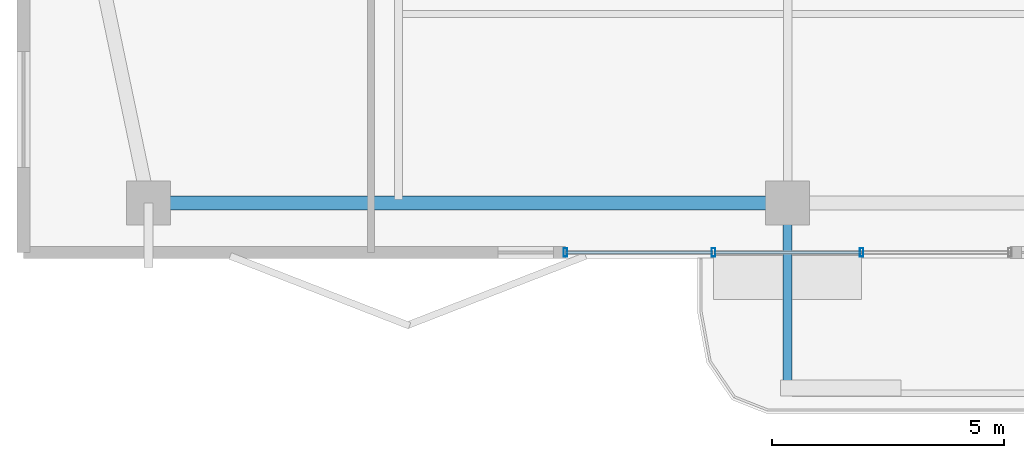
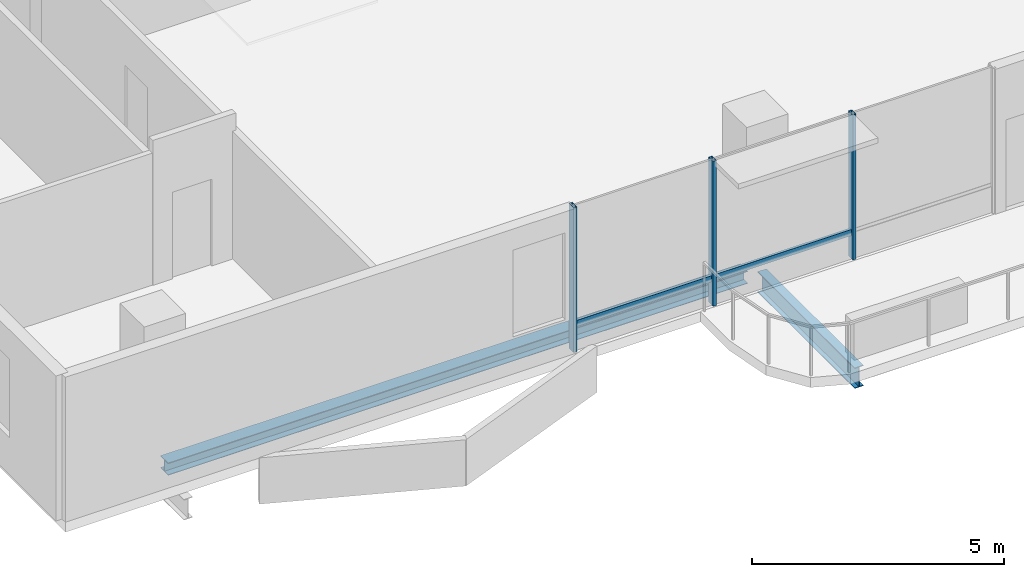
# One storey, part 2 of 18: 5 members, 2 beams, 1 element without a shape of its own.
"""IFC4 building model written with IfcOpenShell, lengths in metres."""

from ifc_helpers import new_model, si_unit, direction, frame, origin, origin_2d, place, context, subcontext, project, spatial, hollow_rectangle, i_section, extrude, material, layer, layer_set, material_profile, profile_set, type_object, element, aggregate, save


model = new_model("IFC4")

# Units and contexts
model_context = context("Model", 3, precision=1e-05, world=origin(), true_north=direction((0.0, 1.0)))
body_context = subcontext(model_context, "Body", "Model", "MODEL_VIEW")
ifc_project = project(units=[si_unit("LENGTHUNIT", "METRE"), si_unit("AREAUNIT", "SQUARE_METRE"), si_unit("VOLUMEUNIT", "CUBIC_METRE"), si_unit("PLANEANGLEUNIT", "RADIAN"), si_unit("MASSUNIT", "GRAM", prefix="KILO")], contexts=[model_context])

# Site, building, storey
site_placement = place(None, origin())
site = spatial("IfcSite", under=ifc_project, at=site_placement, CompositionType="ELEMENT")
building_placement = place(site_placement, origin())
building = spatial("IfcBuilding", under=site, at=building_placement, Name="Belovzor Exchange Tower", CompositionType="ELEMENT")
storey_placement = place(building_placement, frame((0.0, 0.0, 318.0)))
storey = spatial("IfcBuildingStorey", under=building, at=storey_placement, Name="L79", CompositionType="ELEMENT", Elevation=318.0)

# Beam
ifc_material_1 = material(Name="Steel S355", Category="steel")
ifc_material_profile_1 = material_profile(ifc_material_1, i_section(OverallWidth=0.199951171875, OverallDepth=0.5, WebThickness=0.01025390625, FlangeThickness=0.01611328125, at=origin_2d()))
ifc_profile_set_1 = profile_set([ifc_material_profile_1], Name="Steel S355")
beam_type_1 = type_object("IfcBeamType", Name="Planted Balcony Cantilever Beam IPE 500", PredefinedType="BEAM", material=ifc_profile_set_1)
beam_1_placement = place(storey_placement, frame((28.800048828125, 6.93896484375, -0.489990234375), z_axis=(0.0, -1.0, 0.0), x_axis=(1.0, 0.0, 0.0)))
element("IfcBeam", 1, at=beam_1_placement, inside=storey, type_object=beam_type_1, Name="BC-500 Planted Balcony Cantilever Beam IPE 500", PredefinedType="BEAM", context=body_context, shape_type="SweptSolid", body=[
    extrude(i_section(OverallWidth=0.199951171875, OverallDepth=0.5, WebThickness=0.01025390625, FlangeThickness=0.01611328125, at=origin_2d()), origin(), (0.0, 0.0, 1.0), 3.849853515625),
])

# Curtain wall, members
ifc_material_2 = material(Name="Anodised Aluminium Framing", Category="aluminium")
ifc_layer = layer(ifc_material_2, 0.179931640625)
ifc_layer_set = layer_set([ifc_layer], Name="Anodised Aluminium Framing")
curtain_wall_type = type_object("IfcCurtainWallType", Name="Recessed Loggia Low-Iron Triple-Glazed Curtain Wall", PredefinedType="NOTDEFINED", material=ifc_layer_set)
curtain_wall_placement = place(storey_placement, origin())
curtain_wall = element("IfcCurtainWall", 2, at=curtain_wall_placement, inside=storey, type_object=curtain_wall_type, Name="CW3 Recessed Loggia Low-Iron Triple-Glazed Curtain Wall L79", PredefinedType="NOTDEFINED")
ifc_material_3 = material(Name="Steel S355", Category="steel")
ifc_material_profile_2 = material_profile(ifc_material_3, hollow_rectangle(XDim=0.074951171875, YDim=0.179931640625, WallThickness=0.0048828125, at=origin_2d()))
ifc_profile_set_2 = profile_set([ifc_material_profile_2], Name="Steel S355")
member_type_1 = type_object("IfcMemberType", Name="Thermally Broken Curtain Wall Mullion 180x75", PredefinedType="MULLION", material=ifc_profile_set_2)
member_1_placement = place(storey_placement, frame((30.39990234375, 6.1298828125, 0.0), z_axis=(0.0, 0.0, 1.0), x_axis=(-1.0, 0.0, 0.0)))
member_1 = element("IfcMember", 3, at=member_1_placement, type_object=member_type_1, Name="CW-M180 Curtain Wall Mullion 2", PredefinedType="MULLION", context=body_context, shape_type="SweptSolid", body=[
    extrude(hollow_rectangle(XDim=0.074951171875, YDim=0.179931640625, WallThickness=0.0048828125, at=origin_2d()), origin(), (0.0, 0.0, 1.0), 3.510009765625),
])
member_2_placement = place(storey_placement, frame((27.199951171875, 6.1298828125, 0.0), z_axis=(0.0, 0.0, 1.0), x_axis=(-1.0, 0.0, 0.0)))
member_2 = element("IfcMember", 4, at=member_2_placement, type_object=member_type_1, Name="CW-M180 Curtain Wall Mullion 3", PredefinedType="MULLION", context=body_context, shape_type="SweptSolid", body=[
    extrude(hollow_rectangle(XDim=0.074951171875, YDim=0.179931640625, WallThickness=0.0048828125, at=origin_2d()), origin(), (0.0, 0.0, 1.0), 3.510009765625),
])
member_3_placement = place(storey_placement, frame((24.0, 6.1298828125, 0.0), z_axis=(0.0, 0.0, 1.0), x_axis=(-1.0, 0.0, 0.0)))
member_3 = element("IfcMember", 5, at=member_3_placement, type_object=member_type_1, Name="CW-M180 Curtain Wall Mullion 4", PredefinedType="MULLION", context=body_context, shape_type="SweptSolid", body=[
    extrude(hollow_rectangle(XDim=0.074951171875, YDim=0.179931640625, WallThickness=0.0048828125, at=origin_2d()), origin(), (0.0, 0.0, 1.0), 3.510009765625),
])
ifc_material_4 = material(Name="Steel S355", Category="steel")
ifc_material_profile_3 = material_profile(ifc_material_4, hollow_rectangle(XDim=0.06005859375, YDim=0.14990234375, WallThickness=0.00390625, at=origin_2d()))
ifc_profile_set_3 = profile_set([ifc_material_profile_3], Name="Steel S355")
member_type_2 = type_object("IfcMemberType", Name="Thermally Broken Curtain Wall Transom 150x60", PredefinedType="USERDEFINED", material=ifc_profile_set_3)
member_4_placement = place(storey_placement, frame((30.39208984375, 6.1298828125, 0.632080078125), z_axis=(-1.0, 0.0, 0.0), x_axis=(0.0, -1.0, 0.0)))
member_4 = element("IfcMember", 6, at=member_4_placement, type_object=member_type_2, Name="CW-T150 Curtain Wall Transom 2", ObjectType="TRANSOM", PredefinedType="USERDEFINED", context=body_context, shape_type="SweptSolid", body=[
    extrude(hollow_rectangle(XDim=0.06005859375, YDim=0.14990234375, WallThickness=0.00390625, at=origin_2d()), origin(), (0.0, 0.0, 1.0), 3.18408203125),
])
member_5_placement = place(storey_placement, frame((27.19189453125, 6.1298828125, 0.632080078125), z_axis=(-1.0, 0.0, 0.0), x_axis=(0.0, -1.0, 0.0)))
member_5 = element("IfcMember", 7, at=member_5_placement, type_object=member_type_2, Name="CW-T150 Curtain Wall Transom 3", ObjectType="TRANSOM", PredefinedType="USERDEFINED", context=body_context, shape_type="SweptSolid", body=[
    extrude(hollow_rectangle(XDim=0.06005859375, YDim=0.14990234375, WallThickness=0.00390625, at=origin_2d()), origin(), (0.0, 0.0, 1.0), 3.183837890625),
])
aggregate(curtain_wall, [member_1, member_2, member_3, member_4, member_5])

# Beam
ifc_material_5 = material(Name="Steel S355", Category="steel")
ifc_material_profile_4 = material_profile(ifc_material_5, i_section(OverallWidth=0.300048828125, OverallDepth=0.300048828125, WebThickness=0.008544921875, FlangeThickness=0.013916015625, at=origin_2d()))
ifc_profile_set_4 = profile_set([ifc_material_profile_4], Name="Steel S355")
beam_type_2 = type_object("IfcBeamType", Name="Zone 6 Primary Girder HEA 300", PredefinedType="BEAM", material=ifc_profile_set_4)
beam_2_placement = place(storey_placement, frame((15.260986328125, 7.199951171875, -0.389892578125), z_axis=(1.0, 0.0, 0.0), x_axis=(0.0, 1.0, 0.0)))
element("IfcBeam", 8, at=beam_2_placement, inside=storey, type_object=beam_type_2, Name="FG-Z6 Zone 6 Primary Girder HEA 300", PredefinedType="BEAM", context=body_context, shape_type="SweptSolid", body=[
    extrude(i_section(OverallWidth=0.300048828125, OverallDepth=0.300048828125, WebThickness=0.008544921875, FlangeThickness=0.013916015625, at=origin_2d()), origin(), (0.0, 0.0, 1.0), 13.278076171875),
])

save(model, "model.ifc")
